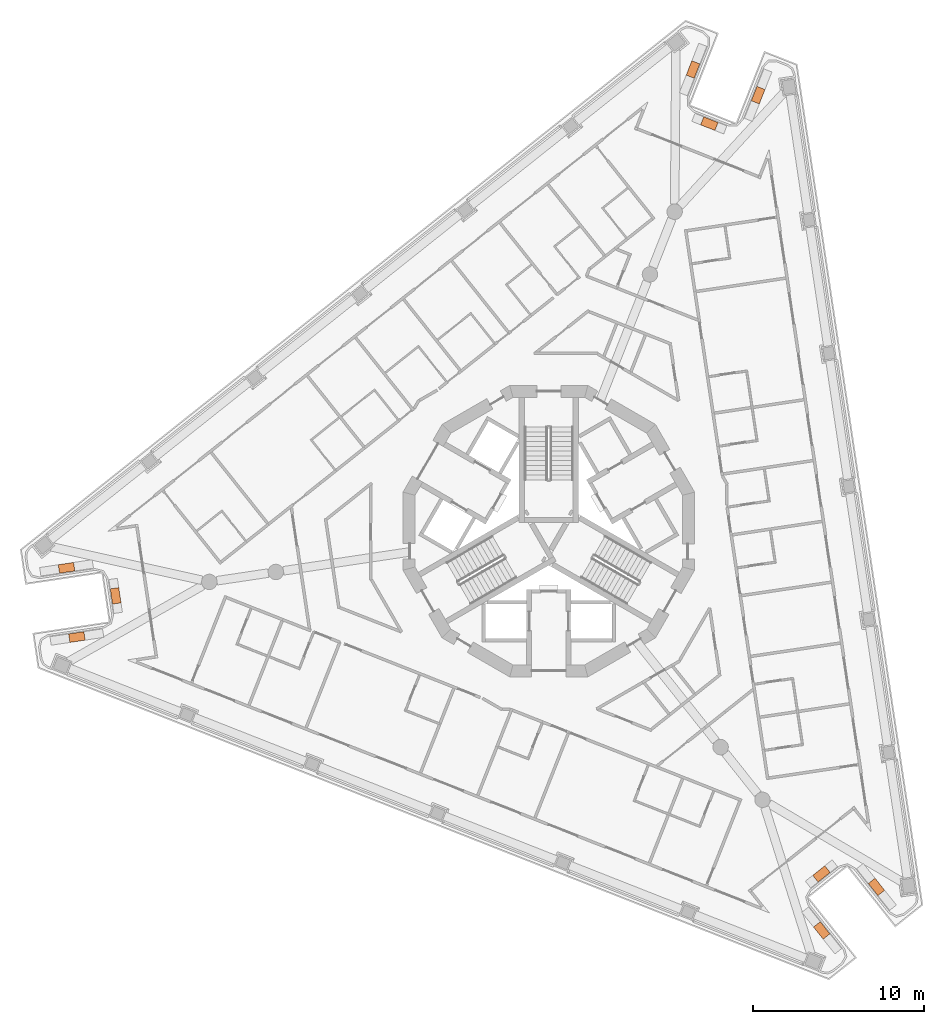
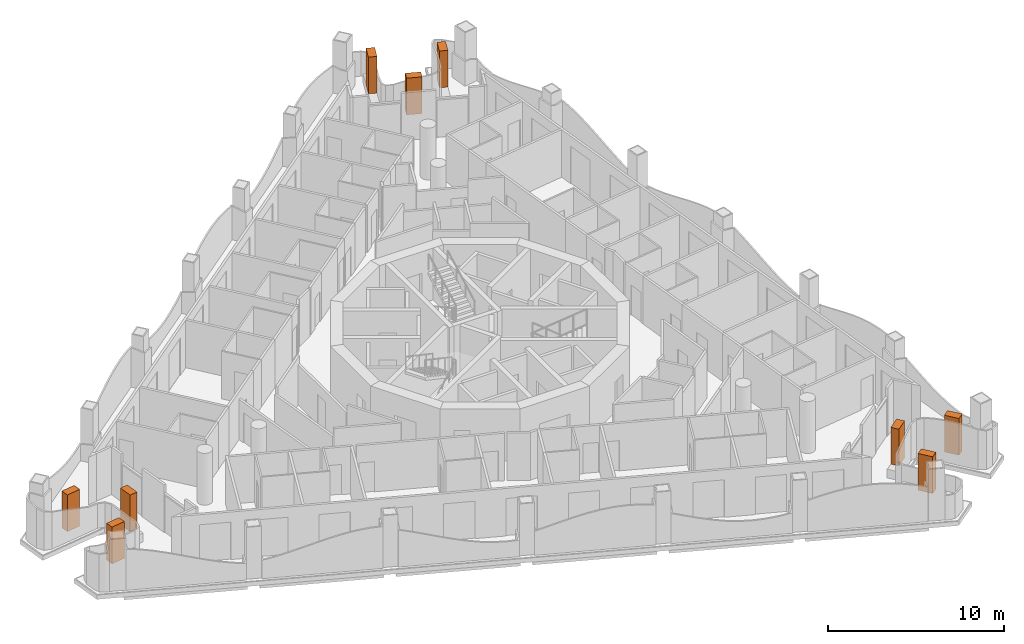
# One storey, part 17 of 17: 9 geographic elements.
"""IFC4 building model written with IfcOpenShell, lengths in metres."""

from ifc_helpers import new_model, si_unit, direction, frame, origin, origin_2d, place, context, subcontext, project, spatial, rectangle, extrude, element, save


model = new_model("IFC4")

# Units and contexts
model_context = context("Model", 3, precision=1e-05, world=origin(), true_north=direction((0.0, 1.0)))
body_context = subcontext(model_context, "Body", "Model", "MODEL_VIEW")
ifc_project = project(units=[si_unit("LENGTHUNIT", "METRE"), si_unit("AREAUNIT", "SQUARE_METRE"), si_unit("VOLUMEUNIT", "CUBIC_METRE"), si_unit("PLANEANGLEUNIT", "RADIAN"), si_unit("MASSUNIT", "GRAM", prefix="KILO")], contexts=[model_context])

# Site, building, storey
site_placement = place(None, origin())
site = spatial("IfcSite", under=ifc_project, at=site_placement, CompositionType="ELEMENT")
building_placement = place(site_placement, origin())
building = spatial("IfcBuilding", under=site, at=building_placement, Name="Trine Commons Tower", CompositionType="ELEMENT")
storey_placement = place(building_placement, frame((0.0, 0.0, 216.0)))
storey = spatial("IfcBuildingStorey", under=building, at=storey_placement, Name="L56", CompositionType="ELEMENT", Elevation=216.0)

# Geographic elements
for number, where, z_axis, x_axis, name in (
    (1, (52.4794921875, 56.324462890625, 0.60009765625), (0.0, 0.0, 1.0), (0.989018700917, 0.147790423361, 0.0), "Tree 1.1"),
    (2, (54.73974609375, 58.724853515625, 0.60009765625), (0.0, 0.0, 1.0), (-0.147812863445, 0.989015347404, 0.0), "Tree 2.1"),
    (3, (51.87646484375, 60.359619140625, 0.60009765625), (0.0, 0.0, 1.0), (-0.989014831433, -0.147816315759, 0.0), "Tree 3.1"),
    (4, (88.412109375, 89.421142578125, 0.60009765625), (0.0, 0.0, 1.0), (-0.366494731175, -0.930420126621, 0.0), "Tree 4.1"),
    (5, (89.360595703125, 86.263671875, 0.60009765625), (0.0, 0.0, 1.0), (0.930416928315, -0.366502850609, 0.0), "Tree 5.1"),
    (6, (92.2080078125, 87.92578125, 0.60009765625), (0.0, 0.0, 1.0), (0.366520713264, 0.930409891794, 0.0), "Tree 6.1"),
    (7, (99.1083984375, 41.75439453125, 0.60009765625), (0.0, 0.0, 1.0), (-0.622516002546, 0.782607070358, 0.0), "Tree 7.1"),
    (8, (95.899658203125, 42.511474609375, 0.60009765625), (0.0, 0.0, 1.0), (-0.782586426516, -0.622541954437, 0.0), "Tree 8.1"),
    (9, (95.915283203125, 39.214599609375, 0.60009765625), (0.0, 0.0, 1.0), (0.622516002546, -0.782607070358, 0.0), "Tree 9.1"),
):
    element("IfcGeographicElement", number, at=place(storey_placement, frame(where, z_axis=z_axis, x_axis=x_axis)), inside=storey, Name=name, ObjectType="TREE Tabebuia rosea", PredefinedType="USERDEFINED", context=body_context, shape_type="SweptSolid", body=[
        extrude(rectangle(XDim=0.89990234375, YDim=0.5, at=origin_2d()), origin(), (0.0, 0.0, 1.0), 2.550048828125),
    ])

save(model, "model.ifc")
